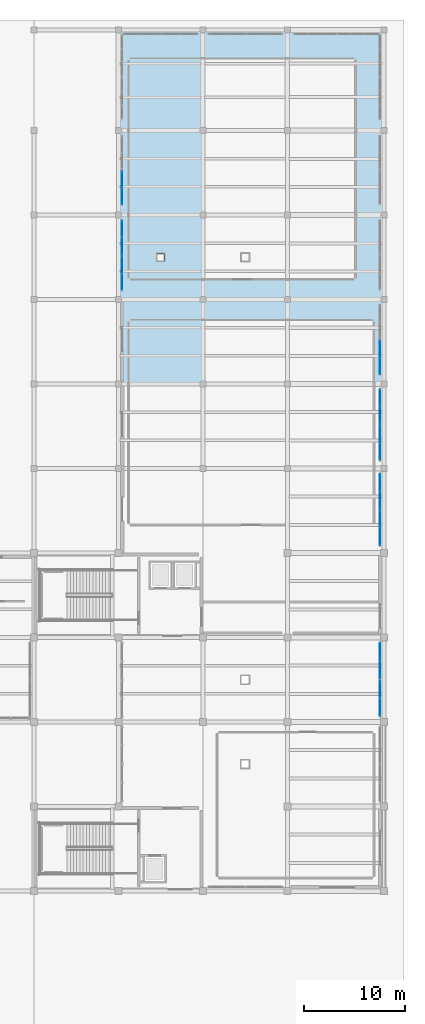
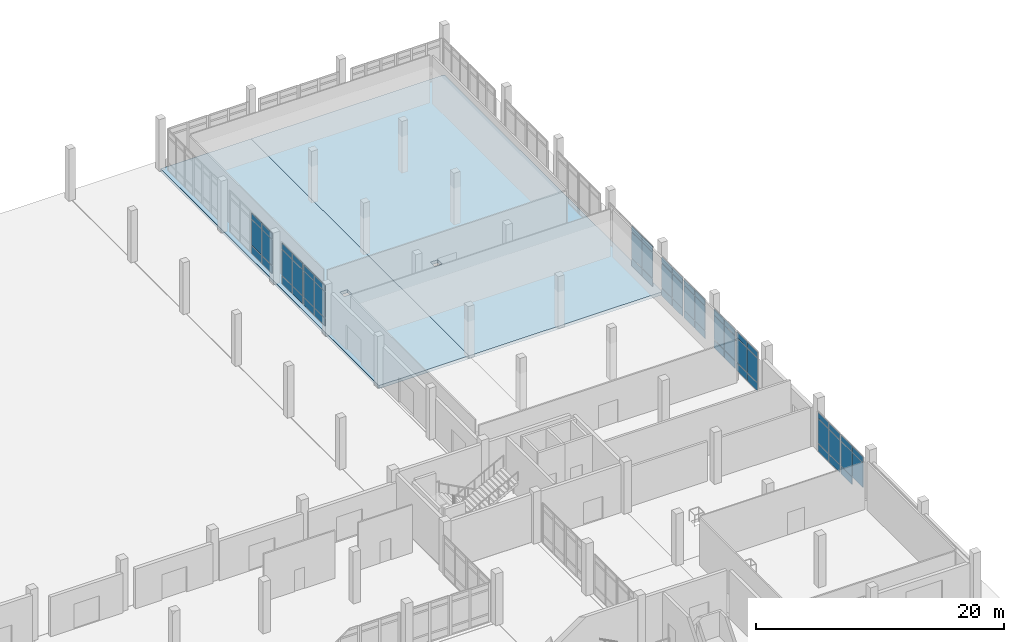
# One storey, part 41 of 64: 59 plates, 2 slabs, 10 elements without a shape of their own.
"""IFC4 building model written with IfcOpenShell, lengths in metres."""

from ifc_helpers import new_model, si_unit, derived_unit, direction, frame, origin, origin_2d, place, context, subcontext, project, spatial, polyline, rectangle, outline, extrude, material, layer, layer_set, type_object, element, aggregate, save


model = new_model("IFC4")

# Units and contexts
model_context = context("Model", 3, precision=1e-05, world=origin(), true_north=direction((0.0, 1.0)))
body_context = subcontext(model_context, "Body", "Model", "MODEL_VIEW")
ifc_project = project(units=[si_unit("LENGTHUNIT", "METRE"), si_unit("AREAUNIT", "SQUARE_METRE"), si_unit("VOLUMEUNIT", "CUBIC_METRE"), si_unit("PLANEANGLEUNIT", "RADIAN"), si_unit("MASSUNIT", "GRAM", prefix="KILO"), derived_unit("THERMALTRANSMITTANCEUNIT", [(si_unit("POWERUNIT", "WATT"), 1), (si_unit("LENGTHUNIT", "METRE"), -2), (si_unit("THERMODYNAMICTEMPERATUREUNIT", "KELVIN"), -1)])], contexts=[model_context])

# Site, building, storey
site_placement = place(None, origin())
site = spatial("IfcSite", under=ifc_project, at=site_placement, CompositionType="ELEMENT")
building_placement = place(site_placement, origin())
building = spatial("IfcBuilding", under=site, at=building_placement, Name="Elbkamm Science Centre", CompositionType="ELEMENT")
storey_placement = place(building_placement, origin())
storey = spatial("IfcBuildingStorey", under=building, at=storey_placement, Name="L00", CompositionType="ELEMENT", Elevation=0.0)

# Curtain wall, plates
ifc_material_1 = material(Name="Powder-coated aluminium and triple low-E glazing", Category="aluminium")
ifc_layer_1 = layer(ifc_material_1, 0.159912109375)
ifc_layer_set_1 = layer_set([ifc_layer_1], Name="Powder-coated aluminium and triple low-E glazing")
curtain_wall_type_1 = type_object("IfcCurtainWallType", Name="CW-UNIT-3480x4100", PredefinedType="USERDEFINED", material=ifc_layer_set_1)
curtain_wall_1_placement = place(storey_placement, origin())
curtain_wall_1 = element("IfcCurtainWall", 1, at=curtain_wall_1_placement, inside=storey, type_object=curtain_wall_type_1, Name="L00 Unitised Curtain Wall 102", ObjectType="UNITISED CURTAIN WALL", PredefinedType="USERDEFINED")
ifc_material_2 = material(Name="Triple solar-control insulated safety glass", Category="glass")
ifc_layer_2 = layer(ifc_material_2, 0.048095703125)
ifc_layer_set_2 = layer_set([ifc_layer_2], Name="Triple solar-control insulated safety glass")
plate_type = type_object("IfcPlateType", Name="CW-PNL-48", PredefinedType="CURTAIN_PANEL", material=ifc_layer_set_2)
plate_1_placement = place(storey_placement, frame((134.780029296875, 85.77099609375, 0.06982421875), z_axis=(0.0, 0.0, 1.0), x_axis=(0.0, 1.0, 0.0)))
plate_1 = element("IfcPlate", 2, at=plate_1_placement, type_object=plate_type, Name="CW-051 panel 1.1", PredefinedType="CURTAIN_PANEL", context=body_context, shape_type="SweptSolid", body=[
    extrude(rectangle(XDim=1.632080078125, YDim=0.048095703125, at=origin_2d()), origin(), (0.0, 0.0, 1.0), 0.7451171875),
])
plate_2_placement = place(storey_placement, frame((134.780029296875, 85.77099609375, 0.884765625), z_axis=(0.0, 0.0, 1.0), x_axis=(0.0, 1.0, 0.0)))
plate_2 = element("IfcPlate", 3, at=plate_2_placement, type_object=plate_type, Name="CW-051 panel 1.2", PredefinedType="CURTAIN_PANEL", context=body_context, shape_type="SweptSolid", body=[
    extrude(rectangle(XDim=1.632080078125, YDim=0.048095703125, at=origin_2d()), origin(), (0.0, 0.0, 1.0), 2.530029296875),
])
plate_3_placement = place(storey_placement, frame((134.780029296875, 85.77099609375, 3.485107421875), z_axis=(0.0, 0.0, 1.0), x_axis=(0.0, 1.0, 0.0)))
plate_3 = element("IfcPlate", 4, at=plate_3_placement, type_object=plate_type, Name="CW-051 panel 1.3", PredefinedType="CURTAIN_PANEL", context=body_context, shape_type="SweptSolid", body=[
    extrude(rectangle(XDim=1.632080078125, YDim=0.048095703125, at=origin_2d()), origin(), (0.0, 0.0, 1.0), 0.544921875),
])
plate_4_placement = place(storey_placement, frame((134.780029296875, 87.47314453125, 0.06982421875), z_axis=(0.0, 0.0, 1.0), x_axis=(0.0, 1.0, 0.0)))
plate_4 = element("IfcPlate", 5, at=plate_4_placement, type_object=plate_type, Name="CW-051 panel 2.1", PredefinedType="CURTAIN_PANEL", context=body_context, shape_type="SweptSolid", body=[
    extrude(rectangle(XDim=1.632080078125, YDim=0.048095703125, at=origin_2d()), origin(), (0.0, 0.0, 1.0), 0.7451171875),
])
plate_5_placement = place(storey_placement, frame((134.780029296875, 87.47314453125, 0.884765625), z_axis=(0.0, 0.0, 1.0), x_axis=(0.0, 1.0, 0.0)))
plate_5 = element("IfcPlate", 6, at=plate_5_placement, type_object=plate_type, Name="CW-051 panel 2.2", PredefinedType="CURTAIN_PANEL", context=body_context, shape_type="SweptSolid", body=[
    extrude(rectangle(XDim=1.632080078125, YDim=0.048095703125, at=origin_2d()), origin(), (0.0, 0.0, 1.0), 2.530029296875),
])
plate_6_placement = place(storey_placement, frame((134.780029296875, 87.47314453125, 3.485107421875), z_axis=(0.0, 0.0, 1.0), x_axis=(0.0, 1.0, 0.0)))
plate_6 = element("IfcPlate", 7, at=plate_6_placement, type_object=plate_type, Name="CW-051 panel 2.3", PredefinedType="CURTAIN_PANEL", context=body_context, shape_type="SweptSolid", body=[
    extrude(rectangle(XDim=1.632080078125, YDim=0.048095703125, at=origin_2d()), origin(), (0.0, 0.0, 1.0), 0.544921875),
])
aggregate(curtain_wall_1, [plate_1, plate_2, plate_3, plate_4, plate_5, plate_6])

curtain_wall_2_placement = place(storey_placement, origin())
curtain_wall_2 = element("IfcCurtainWall", 8, at=curtain_wall_2_placement, inside=storey, type_object=curtain_wall_type_1, Name="L00 Unitised Curtain Wall 103", ObjectType="UNITISED CURTAIN WALL", PredefinedType="USERDEFINED")
plate_7_placement = place(storey_placement, frame((134.780029296875, 89.325439453125, 0.06982421875), z_axis=(0.0, 0.0, 1.0), x_axis=(0.0, 1.0, 0.0)))
plate_7 = element("IfcPlate", 9, at=plate_7_placement, type_object=plate_type, Name="CW-051 panel 1.1", PredefinedType="CURTAIN_PANEL", context=body_context, shape_type="SweptSolid", body=[
    extrude(rectangle(XDim=1.632080078125, YDim=0.048095703125, at=origin_2d()), origin(), (0.0, 0.0, 1.0), 0.7451171875),
])
plate_8_placement = place(storey_placement, frame((134.780029296875, 89.325439453125, 0.884765625), z_axis=(0.0, 0.0, 1.0), x_axis=(0.0, 1.0, 0.0)))
plate_8 = element("IfcPlate", 10, at=plate_8_placement, type_object=plate_type, Name="CW-051 panel 1.2", PredefinedType="CURTAIN_PANEL", context=body_context, shape_type="SweptSolid", body=[
    extrude(rectangle(XDim=1.632080078125, YDim=0.048095703125, at=origin_2d()), origin(), (0.0, 0.0, 1.0), 2.530029296875),
])
plate_9_placement = place(storey_placement, frame((134.780029296875, 89.325439453125, 3.485107421875), z_axis=(0.0, 0.0, 1.0), x_axis=(0.0, 1.0, 0.0)))
plate_9 = element("IfcPlate", 11, at=plate_9_placement, type_object=plate_type, Name="CW-051 panel 1.3", PredefinedType="CURTAIN_PANEL", context=body_context, shape_type="SweptSolid", body=[
    extrude(rectangle(XDim=1.632080078125, YDim=0.048095703125, at=origin_2d()), origin(), (0.0, 0.0, 1.0), 0.544921875),
])
plate_10_placement = place(storey_placement, frame((134.780029296875, 91.027587890625, 0.06982421875), z_axis=(0.0, 0.0, 1.0), x_axis=(0.0, 1.0, 0.0)))
plate_10 = element("IfcPlate", 12, at=plate_10_placement, type_object=plate_type, Name="CW-051 panel 2.1", PredefinedType="CURTAIN_PANEL", context=body_context, shape_type="SweptSolid", body=[
    extrude(rectangle(XDim=1.632080078125, YDim=0.048095703125, at=origin_2d()), origin(), (0.0, 0.0, 1.0), 0.7451171875),
])
plate_11_placement = place(storey_placement, frame((134.780029296875, 91.027587890625, 0.884765625), z_axis=(0.0, 0.0, 1.0), x_axis=(0.0, 1.0, 0.0)))
plate_11 = element("IfcPlate", 13, at=plate_11_placement, type_object=plate_type, Name="CW-051 panel 2.2", PredefinedType="CURTAIN_PANEL", context=body_context, shape_type="SweptSolid", body=[
    extrude(rectangle(XDim=1.632080078125, YDim=0.048095703125, at=origin_2d()), origin(), (0.0, 0.0, 1.0), 2.530029296875),
])
plate_12_placement = place(storey_placement, frame((134.780029296875, 91.027587890625, 3.485107421875), z_axis=(0.0, 0.0, 1.0), x_axis=(0.0, 1.0, 0.0)))
plate_12 = element("IfcPlate", 14, at=plate_12_placement, type_object=plate_type, Name="CW-051 panel 2.3", PredefinedType="CURTAIN_PANEL", context=body_context, shape_type="SweptSolid", body=[
    extrude(rectangle(XDim=1.632080078125, YDim=0.048095703125, at=origin_2d()), origin(), (0.0, 0.0, 1.0), 0.544921875),
])
aggregate(curtain_wall_2, [plate_7, plate_8, plate_9, plate_10, plate_11, plate_12])

ifc_layer_3 = layer(ifc_material_1, 0.159912109375)
ifc_layer_set_3 = layer_set([ifc_layer_3], Name="Powder-coated aluminium and triple low-E glazing")
curtain_wall_type_2 = type_object("IfcCurtainWallType", Name="CW-UNIT-3420x4080", PredefinedType="USERDEFINED", material=ifc_layer_set_3)
curtain_wall_3_placement = place(storey_placement, origin())
curtain_wall_3 = element("IfcCurtainWall", 15, at=curtain_wall_3_placement, inside=storey, type_object=curtain_wall_type_2, Name="L00 Unitised Curtain Wall 104", ObjectType="UNITISED CURTAIN WALL", PredefinedType="USERDEFINED")
plate_13_placement = place(storey_placement, frame((134.780029296875, 94.268798828125, 0.06982421875), z_axis=(0.0, 0.0, 1.0), x_axis=(0.0, 1.0, 0.0)))
plate_13 = element("IfcPlate", 16, at=plate_13_placement, type_object=plate_type, Name="CW-052 panel 1.1", PredefinedType="CURTAIN_PANEL", context=body_context, shape_type="SweptSolid", body=[
    extrude(rectangle(XDim=1.604248046875, YDim=0.048095703125, at=origin_2d()), origin(), (0.0, 0.0, 1.0), 0.7451171875),
])
plate_14_placement = place(storey_placement, frame((134.780029296875, 94.268798828125, 0.884765625), z_axis=(0.0, 0.0, 1.0), x_axis=(0.0, 1.0, 0.0)))
plate_14 = element("IfcPlate", 17, at=plate_14_placement, type_object=plate_type, Name="CW-052 panel 1.2", PredefinedType="CURTAIN_PANEL", context=body_context, shape_type="SweptSolid", body=[
    extrude(rectangle(XDim=1.604248046875, YDim=0.048095703125, at=origin_2d()), origin(), (0.0, 0.0, 1.0), 2.510009765625),
])
plate_15_placement = place(storey_placement, frame((134.780029296875, 94.268798828125, 3.465087890625), z_axis=(0.0, 0.0, 1.0), x_axis=(0.0, 1.0, 0.0)))
plate_15 = element("IfcPlate", 18, at=plate_15_placement, type_object=plate_type, Name="CW-052 panel 1.3", PredefinedType="CURTAIN_PANEL", context=body_context, shape_type="SweptSolid", body=[
    extrude(rectangle(XDim=1.604248046875, YDim=0.048095703125, at=origin_2d()), origin(), (0.0, 0.0, 1.0), 0.544921875),
])
plate_16_placement = place(storey_placement, frame((134.780029296875, 95.943115234375, 0.06982421875), z_axis=(0.0, 0.0, 1.0), x_axis=(0.0, 1.0, 0.0)))
plate_16 = element("IfcPlate", 19, at=plate_16_placement, type_object=plate_type, Name="CW-052 panel 2.1", PredefinedType="CURTAIN_PANEL", context=body_context, shape_type="SweptSolid", body=[
    extrude(rectangle(XDim=1.604248046875, YDim=0.048095703125, at=origin_2d()), origin(), (0.0, 0.0, 1.0), 0.7451171875),
])
plate_17_placement = place(storey_placement, frame((134.780029296875, 95.943115234375, 0.884765625), z_axis=(0.0, 0.0, 1.0), x_axis=(0.0, 1.0, 0.0)))
plate_17 = element("IfcPlate", 20, at=plate_17_placement, type_object=plate_type, Name="CW-052 panel 2.2", PredefinedType="CURTAIN_PANEL", context=body_context, shape_type="SweptSolid", body=[
    extrude(rectangle(XDim=1.604248046875, YDim=0.048095703125, at=origin_2d()), origin(), (0.0, 0.0, 1.0), 2.510009765625),
])
plate_18_placement = place(storey_placement, frame((134.780029296875, 95.943115234375, 3.465087890625), z_axis=(0.0, 0.0, 1.0), x_axis=(0.0, 1.0, 0.0)))
plate_18 = element("IfcPlate", 21, at=plate_18_placement, type_object=plate_type, Name="CW-052 panel 2.3", PredefinedType="CURTAIN_PANEL", context=body_context, shape_type="SweptSolid", body=[
    extrude(rectangle(XDim=1.604248046875, YDim=0.048095703125, at=origin_2d()), origin(), (0.0, 0.0, 1.0), 0.544921875),
])
aggregate(curtain_wall_3, [plate_13, plate_14, plate_15, plate_16, plate_17, plate_18])

ifc_layer_4 = layer(ifc_material_1, 0.159912109375)
ifc_layer_set_4 = layer_set([ifc_layer_4], Name="Powder-coated aluminium and triple low-E glazing")
curtain_wall_type_3 = type_object("IfcCurtainWallType", Name="CW-UNIT-3480x4080", PredefinedType="USERDEFINED", material=ifc_layer_set_4)
curtain_wall_4_placement = place(storey_placement, origin())
curtain_wall_4 = element("IfcCurtainWall", 22, at=curtain_wall_4_placement, inside=storey, type_object=curtain_wall_type_3, Name="L00 Unitised Curtain Wall 121", ObjectType="UNITISED CURTAIN WALL", PredefinedType="USERDEFINED")
plate_19_placement = place(storey_placement, frame((160.419921875, 79.072509765625, 0.06982421875), z_axis=(0.0, 0.0, 1.0), x_axis=(0.0, -1.0, 0.0)))
plate_19 = element("IfcPlate", 23, at=plate_19_placement, type_object=plate_type, Name="CW-060 panel 1.1", PredefinedType="CURTAIN_PANEL", context=body_context, shape_type="SweptSolid", body=[
    extrude(rectangle(XDim=1.63232421875, YDim=0.048095703125, at=origin_2d()), origin(), (0.0, 0.0, 1.0), 0.7451171875),
])
plate_20_placement = place(storey_placement, frame((160.419921875, 79.072509765625, 0.884765625), z_axis=(0.0, 0.0, 1.0), x_axis=(0.0, -1.0, 0.0)))
plate_20 = element("IfcPlate", 24, at=plate_20_placement, type_object=plate_type, Name="CW-060 panel 1.2", PredefinedType="CURTAIN_PANEL", context=body_context, shape_type="SweptSolid", body=[
    extrude(rectangle(XDim=1.63232421875, YDim=0.048095703125, at=origin_2d()), origin(), (0.0, 0.0, 1.0), 2.510009765625),
])
plate_21_placement = place(storey_placement, frame((160.419921875, 79.072509765625, 3.465087890625), z_axis=(0.0, 0.0, 1.0), x_axis=(0.0, -1.0, 0.0)))
plate_21 = element("IfcPlate", 25, at=plate_21_placement, type_object=plate_type, Name="CW-060 panel 1.3", PredefinedType="CURTAIN_PANEL", context=body_context, shape_type="SweptSolid", body=[
    extrude(rectangle(XDim=1.63232421875, YDim=0.048095703125, at=origin_2d()), origin(), (0.0, 0.0, 1.0), 0.544921875),
])
plate_22_placement = place(storey_placement, frame((160.419921875, 77.3701171875, 0.06982421875), z_axis=(0.0, 0.0, 1.0), x_axis=(0.0, -1.0, 0.0)))
plate_22 = element("IfcPlate", 26, at=plate_22_placement, type_object=plate_type, Name="CW-060 panel 2.1", PredefinedType="CURTAIN_PANEL", context=body_context, shape_type="SweptSolid", body=[
    extrude(rectangle(XDim=1.63232421875, YDim=0.048095703125, at=origin_2d()), origin(), (0.0, 0.0, 1.0), 0.7451171875),
])
plate_23_placement = place(storey_placement, frame((160.419921875, 77.3701171875, 0.884765625), z_axis=(0.0, 0.0, 1.0), x_axis=(0.0, -1.0, 0.0)))
plate_23 = element("IfcPlate", 27, at=plate_23_placement, type_object=plate_type, Name="CW-060 panel 2.2", PredefinedType="CURTAIN_PANEL", context=body_context, shape_type="SweptSolid", body=[
    extrude(rectangle(XDim=1.63232421875, YDim=0.048095703125, at=origin_2d()), origin(), (0.0, 0.0, 1.0), 2.510009765625),
])
plate_24_placement = place(storey_placement, frame((160.419921875, 77.3701171875, 3.465087890625), z_axis=(0.0, 0.0, 1.0), x_axis=(0.0, -1.0, 0.0)))
plate_24 = element("IfcPlate", 28, at=plate_24_placement, type_object=plate_type, Name="CW-060 panel 2.3", PredefinedType="CURTAIN_PANEL", context=body_context, shape_type="SweptSolid", body=[
    extrude(rectangle(XDim=1.63232421875, YDim=0.048095703125, at=origin_2d()), origin(), (0.0, 0.0, 1.0), 0.544921875),
])
aggregate(curtain_wall_4, [plate_19, plate_20, plate_21, plate_22, plate_23, plate_24])

ifc_layer_5 = layer(ifc_material_1, 0.159912109375)
ifc_layer_set_5 = layer_set([ifc_layer_5], Name="Powder-coated aluminium and triple low-E glazing")
curtain_wall_type_4 = type_object("IfcCurtainWallType", Name="CW-UNIT-3520x3960", PredefinedType="USERDEFINED", material=ifc_layer_set_5)
curtain_wall_5_placement = place(storey_placement, origin())
curtain_wall_5 = element("IfcCurtainWall", 29, at=curtain_wall_5_placement, inside=storey, type_object=curtain_wall_type_4, Name="L00 Unitised Curtain Wall 122", ObjectType="UNITISED CURTAIN WALL", PredefinedType="USERDEFINED")
plate_25_placement = place(storey_placement, frame((160.419921875, 74.217041015625, 0.06982421875), z_axis=(0.0, 0.0, 1.0), x_axis=(0.0, -1.0, 0.0)))
plate_25 = element("IfcPlate", 30, at=plate_25_placement, type_object=plate_type, Name="CW-061 panel 1.1", PredefinedType="CURTAIN_PANEL", context=body_context, shape_type="SweptSolid", body=[
    extrude(rectangle(XDim=1.6533203125, YDim=0.048095703125, at=origin_2d()), origin(), (0.0, 0.0, 1.0), 0.7451171875),
])
plate_26_placement = place(storey_placement, frame((160.419921875, 74.217041015625, 0.885009765625), z_axis=(0.0, 0.0, 1.0), x_axis=(0.0, -1.0, 0.0)))
plate_26 = element("IfcPlate", 31, at=plate_26_placement, type_object=plate_type, Name="CW-061 panel 1.2", PredefinedType="CURTAIN_PANEL", context=body_context, shape_type="SweptSolid", body=[
    extrude(rectangle(XDim=1.6533203125, YDim=0.048095703125, at=origin_2d()), origin(), (0.0, 0.0, 1.0), 2.3798828125),
])
plate_27_placement = place(storey_placement, frame((160.419921875, 74.217041015625, 3.3349609375), z_axis=(0.0, 0.0, 1.0), x_axis=(0.0, -1.0, 0.0)))
plate_27 = element("IfcPlate", 32, at=plate_27_placement, type_object=plate_type, Name="CW-061 panel 1.3", PredefinedType="CURTAIN_PANEL", context=body_context, shape_type="SweptSolid", body=[
    extrude(rectangle(XDim=1.6533203125, YDim=0.048095703125, at=origin_2d()), origin(), (0.0, 0.0, 1.0), 0.544921875),
])
plate_28_placement = place(storey_placement, frame((160.419921875, 72.49365234375, 0.06982421875), z_axis=(0.0, 0.0, 1.0), x_axis=(0.0, -1.0, 0.0)))
plate_28 = element("IfcPlate", 33, at=plate_28_placement, type_object=plate_type, Name="CW-061 panel 2.1", PredefinedType="CURTAIN_PANEL", context=body_context, shape_type="SweptSolid", body=[
    extrude(rectangle(XDim=1.6533203125, YDim=0.048095703125, at=origin_2d()), origin(), (0.0, 0.0, 1.0), 0.7451171875),
])
plate_29_placement = place(storey_placement, frame((160.419921875, 72.49365234375, 0.885009765625), z_axis=(0.0, 0.0, 1.0), x_axis=(0.0, -1.0, 0.0)))
plate_29 = element("IfcPlate", 34, at=plate_29_placement, type_object=plate_type, Name="CW-061 panel 2.2", PredefinedType="CURTAIN_PANEL", context=body_context, shape_type="SweptSolid", body=[
    extrude(rectangle(XDim=1.6533203125, YDim=0.048095703125, at=origin_2d()), origin(), (0.0, 0.0, 1.0), 2.3798828125),
])
plate_30_placement = place(storey_placement, frame((160.419921875, 72.49365234375, 3.3349609375), z_axis=(0.0, 0.0, 1.0), x_axis=(0.0, -1.0, 0.0)))
plate_30 = element("IfcPlate", 35, at=plate_30_placement, type_object=plate_type, Name="CW-061 panel 2.3", PredefinedType="CURTAIN_PANEL", context=body_context, shape_type="SweptSolid", body=[
    extrude(rectangle(XDim=1.6533203125, YDim=0.048095703125, at=origin_2d()), origin(), (0.0, 0.0, 1.0), 0.544921875),
])
aggregate(curtain_wall_5, [plate_25, plate_26, plate_27, plate_28, plate_29, plate_30])

curtain_wall_6_placement = place(storey_placement, origin())
curtain_wall_6 = element("IfcCurtainWall", 36, at=curtain_wall_6_placement, inside=storey, type_object=curtain_wall_type_4, Name="L00 Unitised Curtain Wall 123", ObjectType="UNITISED CURTAIN WALL", PredefinedType="USERDEFINED")
plate_31_placement = place(storey_placement, frame((160.419921875, 70.6201171875, 0.06982421875), z_axis=(0.0, 0.0, 1.0), x_axis=(0.0, -1.0, 0.0)))
plate_31 = element("IfcPlate", 37, at=plate_31_placement, type_object=plate_type, Name="CW-061 panel 1.1", PredefinedType="CURTAIN_PANEL", context=body_context, shape_type="SweptSolid", body=[
    extrude(rectangle(XDim=1.6533203125, YDim=0.048095703125, at=origin_2d()), origin(), (0.0, 0.0, 1.0), 0.7451171875),
])
plate_32_placement = place(storey_placement, frame((160.419921875, 70.6201171875, 0.885009765625), z_axis=(0.0, 0.0, 1.0), x_axis=(0.0, -1.0, 0.0)))
plate_32 = element("IfcPlate", 38, at=plate_32_placement, type_object=plate_type, Name="CW-061 panel 1.2", PredefinedType="CURTAIN_PANEL", context=body_context, shape_type="SweptSolid", body=[
    extrude(rectangle(XDim=1.6533203125, YDim=0.048095703125, at=origin_2d()), origin(), (0.0, 0.0, 1.0), 2.3798828125),
])
plate_33_placement = place(storey_placement, frame((160.419921875, 70.6201171875, 3.3349609375), z_axis=(0.0, 0.0, 1.0), x_axis=(0.0, -1.0, 0.0)))
plate_33 = element("IfcPlate", 39, at=plate_33_placement, type_object=plate_type, Name="CW-061 panel 1.3", PredefinedType="CURTAIN_PANEL", context=body_context, shape_type="SweptSolid", body=[
    extrude(rectangle(XDim=1.6533203125, YDim=0.048095703125, at=origin_2d()), origin(), (0.0, 0.0, 1.0), 0.544921875),
])
plate_34_placement = place(storey_placement, frame((160.419921875, 68.896728515625, 0.06982421875), z_axis=(0.0, 0.0, 1.0), x_axis=(0.0, -1.0, 0.0)))
plate_34 = element("IfcPlate", 40, at=plate_34_placement, type_object=plate_type, Name="CW-061 panel 2.1", PredefinedType="CURTAIN_PANEL", context=body_context, shape_type="SweptSolid", body=[
    extrude(rectangle(XDim=1.6533203125, YDim=0.048095703125, at=origin_2d()), origin(), (0.0, 0.0, 1.0), 0.7451171875),
])
plate_35_placement = place(storey_placement, frame((160.419921875, 68.896728515625, 0.885009765625), z_axis=(0.0, 0.0, 1.0), x_axis=(0.0, -1.0, 0.0)))
plate_35 = element("IfcPlate", 41, at=plate_35_placement, type_object=plate_type, Name="CW-061 panel 2.2", PredefinedType="CURTAIN_PANEL", context=body_context, shape_type="SweptSolid", body=[
    extrude(rectangle(XDim=1.6533203125, YDim=0.048095703125, at=origin_2d()), origin(), (0.0, 0.0, 1.0), 2.3798828125),
])
plate_36_placement = place(storey_placement, frame((160.419921875, 68.896728515625, 3.3349609375), z_axis=(0.0, 0.0, 1.0), x_axis=(0.0, -1.0, 0.0)))
plate_36 = element("IfcPlate", 42, at=plate_36_placement, type_object=plate_type, Name="CW-061 panel 2.3", PredefinedType="CURTAIN_PANEL", context=body_context, shape_type="SweptSolid", body=[
    extrude(rectangle(XDim=1.6533203125, YDim=0.048095703125, at=origin_2d()), origin(), (0.0, 0.0, 1.0), 0.544921875),
])
aggregate(curtain_wall_6, [plate_31, plate_32, plate_33, plate_34, plate_35, plate_36])

ifc_layer_6 = layer(ifc_material_1, 0.159912109375)
ifc_layer_set_6 = layer_set([ifc_layer_6], Name="Powder-coated aluminium and triple low-E glazing")
curtain_wall_type_5 = type_object("IfcCurtainWallType", Name="CW-UNIT-3560x3960", PredefinedType="USERDEFINED", material=ifc_layer_set_6)
curtain_wall_7_placement = place(storey_placement, origin())
curtain_wall_7 = element("IfcCurtainWall", 43, at=curtain_wall_7_placement, inside=storey, type_object=curtain_wall_type_5, Name="L00 Unitised Curtain Wall 124", ObjectType="UNITISED CURTAIN WALL", PredefinedType="USERDEFINED")
plate_37_placement = place(storey_placement, frame((160.419921875, 65.806396484375, 0.06982421875), z_axis=(0.0, 0.0, 1.0), x_axis=(0.0, -1.0, 0.0)))
plate_37 = element("IfcPlate", 44, at=plate_37_placement, type_object=plate_type, Name="CW-062 panel 1.1", PredefinedType="CURTAIN_PANEL", context=body_context, shape_type="SweptSolid", body=[
    extrude(rectangle(XDim=1.67431640625, YDim=0.048095703125, at=origin_2d()), origin(), (0.0, 0.0, 1.0), 0.7451171875),
])
plate_38_placement = place(storey_placement, frame((160.419921875, 65.806396484375, 0.885009765625), z_axis=(0.0, 0.0, 1.0), x_axis=(0.0, -1.0, 0.0)))
plate_38 = element("IfcPlate", 45, at=plate_38_placement, type_object=plate_type, Name="CW-062 panel 1.2", PredefinedType="CURTAIN_PANEL", context=body_context, shape_type="SweptSolid", body=[
    extrude(rectangle(XDim=1.67431640625, YDim=0.048095703125, at=origin_2d()), origin(), (0.0, 0.0, 1.0), 2.3798828125),
])
plate_39_placement = place(storey_placement, frame((160.419921875, 65.806396484375, 3.3349609375), z_axis=(0.0, 0.0, 1.0), x_axis=(0.0, -1.0, 0.0)))
plate_39 = element("IfcPlate", 46, at=plate_39_placement, type_object=plate_type, Name="CW-062 panel 1.3", PredefinedType="CURTAIN_PANEL", context=body_context, shape_type="SweptSolid", body=[
    extrude(rectangle(XDim=1.67431640625, YDim=0.048095703125, at=origin_2d()), origin(), (0.0, 0.0, 1.0), 0.544921875),
])
plate_40_placement = place(storey_placement, frame((160.419921875, 64.06201171875, 0.06982421875), z_axis=(0.0, 0.0, 1.0), x_axis=(0.0, -1.0, 0.0)))
plate_40 = element("IfcPlate", 47, at=plate_40_placement, type_object=plate_type, Name="CW-062 panel 2.1", PredefinedType="CURTAIN_PANEL", context=body_context, shape_type="SweptSolid", body=[
    extrude(rectangle(XDim=1.67431640625, YDim=0.048095703125, at=origin_2d()), origin(), (0.0, 0.0, 1.0), 0.7451171875),
])
plate_41_placement = place(storey_placement, frame((160.419921875, 64.06201171875, 0.885009765625), z_axis=(0.0, 0.0, 1.0), x_axis=(0.0, -1.0, 0.0)))
plate_41 = element("IfcPlate", 48, at=plate_41_placement, type_object=plate_type, Name="CW-062 panel 2.2", PredefinedType="CURTAIN_PANEL", context=body_context, shape_type="SweptSolid", body=[
    extrude(rectangle(XDim=1.67431640625, YDim=0.048095703125, at=origin_2d()), origin(), (0.0, 0.0, 1.0), 2.3798828125),
])
plate_42_placement = place(storey_placement, frame((160.419921875, 64.06201171875, 3.3349609375), z_axis=(0.0, 0.0, 1.0), x_axis=(0.0, -1.0, 0.0)))
plate_42 = element("IfcPlate", 49, at=plate_42_placement, type_object=plate_type, Name="CW-062 panel 2.3", PredefinedType="CURTAIN_PANEL", context=body_context, shape_type="SweptSolid", body=[
    extrude(rectangle(XDim=1.67431640625, YDim=0.048095703125, at=origin_2d()), origin(), (0.0, 0.0, 1.0), 0.544921875),
])
aggregate(curtain_wall_7, [plate_37, plate_38, plate_39, plate_40, plate_41, plate_42])

curtain_wall_8_placement = place(storey_placement, origin())
curtain_wall_8 = element("IfcCurtainWall", 50, at=curtain_wall_8_placement, inside=storey, type_object=curtain_wall_type_5, Name="L00 Unitised Curtain Wall 125", ObjectType="UNITISED CURTAIN WALL", PredefinedType="USERDEFINED")
plate_43_placement = place(storey_placement, frame((160.419921875, 62.167724609375, 0.06982421875), z_axis=(0.0, 0.0, 1.0), x_axis=(0.0, -1.0, 0.0)))
plate_43 = element("IfcPlate", 51, at=plate_43_placement, type_object=plate_type, Name="CW-062 panel 1.1", PredefinedType="CURTAIN_PANEL", context=body_context, shape_type="SweptSolid", body=[
    extrude(rectangle(XDim=1.674560546875, YDim=0.048095703125, at=origin_2d()), origin(), (0.0, 0.0, 1.0), 0.7451171875),
])
plate_44_placement = place(storey_placement, frame((160.419921875, 62.167724609375, 0.885009765625), z_axis=(0.0, 0.0, 1.0), x_axis=(0.0, -1.0, 0.0)))
plate_44 = element("IfcPlate", 52, at=plate_44_placement, type_object=plate_type, Name="CW-062 panel 1.2", PredefinedType="CURTAIN_PANEL", context=body_context, shape_type="SweptSolid", body=[
    extrude(rectangle(XDim=1.674560546875, YDim=0.048095703125, at=origin_2d()), origin(), (0.0, 0.0, 1.0), 2.3798828125),
])
plate_45_placement = place(storey_placement, frame((160.419921875, 62.167724609375, 3.3349609375), z_axis=(0.0, 0.0, 1.0), x_axis=(0.0, -1.0, 0.0)))
plate_45 = element("IfcPlate", 53, at=plate_45_placement, type_object=plate_type, Name="CW-062 panel 1.3", PredefinedType="CURTAIN_PANEL", context=body_context, shape_type="SweptSolid", body=[
    extrude(rectangle(XDim=1.674560546875, YDim=0.048095703125, at=origin_2d()), origin(), (0.0, 0.0, 1.0), 0.544921875),
])
plate_46_placement = place(storey_placement, frame((160.419921875, 60.42333984375, 0.06982421875), z_axis=(0.0, 0.0, 1.0), x_axis=(0.0, -1.0, 0.0)))
plate_46 = element("IfcPlate", 54, at=plate_46_placement, type_object=plate_type, Name="CW-062 panel 2.1", PredefinedType="CURTAIN_PANEL", context=body_context, shape_type="SweptSolid", body=[
    extrude(rectangle(XDim=1.674560546875, YDim=0.048095703125, at=origin_2d()), origin(), (0.0, 0.0, 1.0), 0.7451171875),
])
plate_47_placement = place(storey_placement, frame((160.419921875, 60.42333984375, 0.885009765625), z_axis=(0.0, 0.0, 1.0), x_axis=(0.0, -1.0, 0.0)))
plate_47 = element("IfcPlate", 55, at=plate_47_placement, type_object=plate_type, Name="CW-062 panel 2.2", PredefinedType="CURTAIN_PANEL", context=body_context, shape_type="SweptSolid", body=[
    extrude(rectangle(XDim=1.674560546875, YDim=0.048095703125, at=origin_2d()), origin(), (0.0, 0.0, 1.0), 2.3798828125),
])
plate_48_placement = place(storey_placement, frame((160.419921875, 60.42333984375, 3.3349609375), z_axis=(0.0, 0.0, 1.0), x_axis=(0.0, -1.0, 0.0)))
plate_48 = element("IfcPlate", 56, at=plate_48_placement, type_object=plate_type, Name="CW-062 panel 2.3", PredefinedType="CURTAIN_PANEL", context=body_context, shape_type="SweptSolid", body=[
    extrude(rectangle(XDim=1.674560546875, YDim=0.048095703125, at=origin_2d()), origin(), (0.0, 0.0, 1.0), 0.544921875),
])
aggregate(curtain_wall_8, [plate_43, plate_44, plate_45, plate_46, plate_47, plate_48])

ifc_layer_7 = layer(ifc_material_1, 0.159912109375)
ifc_layer_set_7 = layer_set([ifc_layer_7], Name="Powder-coated aluminium and triple low-E glazing")
curtain_wall_type_6 = type_object("IfcCurtainWallType", Name="CW-UNIT-3640x3960", PredefinedType="USERDEFINED", material=ifc_layer_set_7)
curtain_wall_9_placement = place(storey_placement, origin())
curtain_wall_9 = element("IfcCurtainWall", 57, at=curtain_wall_9_placement, inside=storey, type_object=curtain_wall_type_6, Name="L00 Unitised Curtain Wall 126", ObjectType="UNITISED CURTAIN WALL", PredefinedType="USERDEFINED")
plate_49_placement = place(storey_placement, frame((160.419921875, 48.985595703125, 0.06982421875), z_axis=(0.0, 0.0, 1.0), x_axis=(0.0, -1.0, 0.0)))
plate_49 = element("IfcPlate", 58, at=plate_49_placement, type_object=plate_type, Name="CW-063 panel 1.1", PredefinedType="CURTAIN_PANEL", context=body_context, shape_type="SweptSolid", body=[
    extrude(rectangle(XDim=1.71630859375, YDim=0.048095703125, at=origin_2d()), origin(), (0.0, 0.0, 1.0), 0.7451171875),
])
plate_50_placement = place(storey_placement, frame((160.419921875, 48.985595703125, 0.885009765625), z_axis=(0.0, 0.0, 1.0), x_axis=(0.0, -1.0, 0.0)))
plate_50 = element("IfcPlate", 59, at=plate_50_placement, type_object=plate_type, Name="CW-063 panel 1.2", PredefinedType="CURTAIN_PANEL", context=body_context, shape_type="SweptSolid", body=[
    extrude(rectangle(XDim=1.71630859375, YDim=0.048095703125, at=origin_2d()), origin(), (0.0, 0.0, 1.0), 2.3798828125),
])
plate_51_placement = place(storey_placement, frame((160.419921875, 48.985595703125, 3.3349609375), z_axis=(0.0, 0.0, 1.0), x_axis=(0.0, -1.0, 0.0)))
plate_51 = element("IfcPlate", 60, at=plate_51_placement, type_object=plate_type, Name="CW-063 panel 1.3", PredefinedType="CURTAIN_PANEL", context=body_context, shape_type="SweptSolid", body=[
    extrude(rectangle(XDim=1.71630859375, YDim=0.048095703125, at=origin_2d()), origin(), (0.0, 0.0, 1.0), 0.544921875),
])
plate_52_placement = place(storey_placement, frame((160.419921875, 47.19921875, 0.06982421875), z_axis=(0.0, 0.0, 1.0), x_axis=(0.0, -1.0, 0.0)))
plate_52 = element("IfcPlate", 61, at=plate_52_placement, type_object=plate_type, Name="CW-063 panel 2.1", PredefinedType="CURTAIN_PANEL", context=body_context, shape_type="SweptSolid", body=[
    extrude(rectangle(XDim=1.71630859375, YDim=0.048095703125, at=origin_2d()), origin(), (0.0, 0.0, 1.0), 0.7451171875),
])
plate_53_placement = place(storey_placement, frame((160.419921875, 47.19921875, 0.885009765625), z_axis=(0.0, 0.0, 1.0), x_axis=(0.0, -1.0, 0.0)))
plate_53 = element("IfcPlate", 62, at=plate_53_placement, type_object=plate_type, Name="CW-063 panel 2.2", PredefinedType="CURTAIN_PANEL", context=body_context, shape_type="SweptSolid", body=[
    extrude(rectangle(XDim=1.71630859375, YDim=0.048095703125, at=origin_2d()), origin(), (0.0, 0.0, 1.0), 2.3798828125),
])
plate_54_placement = place(storey_placement, frame((160.419921875, 47.19921875, 3.3349609375), z_axis=(0.0, 0.0, 1.0), x_axis=(0.0, -1.0, 0.0)))
plate_54 = element("IfcPlate", 63, at=plate_54_placement, type_object=plate_type, Name="CW-063 panel 2.3", PredefinedType="CURTAIN_PANEL", context=body_context, shape_type="SweptSolid", body=[
    extrude(rectangle(XDim=1.71630859375, YDim=0.048095703125, at=origin_2d()), origin(), (0.0, 0.0, 1.0), 0.544921875),
])
aggregate(curtain_wall_9, [plate_49, plate_50, plate_51, plate_52, plate_53, plate_54])

curtain_wall_10_placement = place(storey_placement, origin())
curtain_wall_10 = element("IfcCurtainWall", 64, at=curtain_wall_10_placement, inside=storey, type_object=curtain_wall_type_6, Name="L00 Unitised Curtain Wall 127", ObjectType="UNITISED CURTAIN WALL", PredefinedType="USERDEFINED")
plate_55_placement = place(storey_placement, frame((160.419921875, 45.2626953125, 0.06982421875), z_axis=(0.0, 0.0, 1.0), x_axis=(0.0, -1.0, 0.0)))
plate_55 = element("IfcPlate", 65, at=plate_55_placement, type_object=plate_type, Name="CW-063 panel 1.1", PredefinedType="CURTAIN_PANEL", context=body_context, shape_type="SweptSolid", body=[
    extrude(rectangle(XDim=1.716552734375, YDim=0.048095703125, at=origin_2d()), origin(), (0.0, 0.0, 1.0), 0.7451171875),
])
plate_56_placement = place(storey_placement, frame((160.419921875, 45.2626953125, 0.885009765625), z_axis=(0.0, 0.0, 1.0), x_axis=(0.0, -1.0, 0.0)))
plate_56 = element("IfcPlate", 66, at=plate_56_placement, type_object=plate_type, Name="CW-063 panel 1.2", PredefinedType="CURTAIN_PANEL", context=body_context, shape_type="SweptSolid", body=[
    extrude(rectangle(XDim=1.716552734375, YDim=0.048095703125, at=origin_2d()), origin(), (0.0, 0.0, 1.0), 2.3798828125),
])
plate_57_placement = place(storey_placement, frame((160.419921875, 45.2626953125, 3.3349609375), z_axis=(0.0, 0.0, 1.0), x_axis=(0.0, -1.0, 0.0)))
plate_57 = element("IfcPlate", 67, at=plate_57_placement, type_object=plate_type, Name="CW-063 panel 1.3", PredefinedType="CURTAIN_PANEL", context=body_context, shape_type="SweptSolid", body=[
    extrude(rectangle(XDim=1.716552734375, YDim=0.048095703125, at=origin_2d()), origin(), (0.0, 0.0, 1.0), 0.544921875),
])
plate_58_placement = place(storey_placement, frame((160.419921875, 43.476318359375, 0.885009765625), z_axis=(0.0, 0.0, 1.0), x_axis=(0.0, -1.0, 0.0)))
plate_58 = element("IfcPlate", 68, at=plate_58_placement, type_object=plate_type, Name="CW-063 panel 2.2", PredefinedType="CURTAIN_PANEL", context=body_context, shape_type="SweptSolid", body=[
    extrude(rectangle(XDim=1.716552734375, YDim=0.048095703125, at=origin_2d()), origin(), (0.0, 0.0, 1.0), 2.3798828125),
])
plate_59_placement = place(storey_placement, frame((160.419921875, 43.476318359375, 3.3349609375), z_axis=(0.0, 0.0, 1.0), x_axis=(0.0, -1.0, 0.0)))
plate_59 = element("IfcPlate", 69, at=plate_59_placement, type_object=plate_type, Name="CW-063 panel 2.3", PredefinedType="CURTAIN_PANEL", context=body_context, shape_type="SweptSolid", body=[
    extrude(rectangle(XDim=1.716552734375, YDim=0.048095703125, at=origin_2d()), origin(), (0.0, 0.0, 1.0), 0.544921875),
])
aggregate(curtain_wall_10, [plate_55, plate_56, plate_57, plate_58, plate_59])

# Slabs
ifc_material_3 = material(Name="Reinforced concrete C40/50", Category="concrete")
ifc_layer_8 = layer(ifc_material_3, 0.300048828125)
ifc_layer_set_8 = layer_set([ifc_layer_8], Name="Reinforced concrete C40/50")
slab_type = type_object("IfcSlabType", Name="SLAB-FLR-300", PredefinedType="FLOOR", material=ifc_layer_set_8)
slab_1_placement = place(storey_placement, frame((0.0, 0.0, -0.300048828125)))
element("IfcSlab", 70, at=slab_1_placement, inside=storey, type_object=slab_type, Name="L00 Structural Slab E1N-10", PredefinedType="FLOOR", context=body_context, shape_type="SweptSolid", body=[
    extrude(outline(polyline([(142.800048828125, 110.800048828125), (142.800048828125, 75.60009765625), (134.39990234375, 75.60009765625), (134.39990234375, 110.800048828125), (142.800048828125, 110.800048828125)]), holes=[polyline([(138.949951171875, 88.550048828125), (138.25, 88.550048828125), (138.25, 87.85009765625), (138.949951171875, 87.85009765625), (138.949951171875, 88.550048828125)])]), origin(), (0.0, 0.0, 1.0), 0.300048828125),
])
slab_2_placement = place(storey_placement, frame((0.0, 0.0, -0.300048828125)))
element("IfcSlab", 71, at=slab_2_placement, inside=storey, type_object=slab_type, Name="L00 Structural Slab E2N-13", PredefinedType="FLOOR", context=body_context, shape_type="SweptSolid", body=[
    extrude(outline(polyline([(160.800048828125, 75.60009765625), (142.800048828125, 75.60009765625), (142.800048828125, 110.800048828125), (160.800048828125, 110.800048828125), (160.800048828125, 75.60009765625)]), holes=[polyline([(147.35009765625, 88.550048828125), (146.64990234375, 88.550048828125), (146.64990234375, 87.85009765625), (147.35009765625, 87.85009765625), (147.35009765625, 88.550048828125)])]), origin(), (0.0, 0.0, 1.0), 0.300048828125),
])

save(model, "model.ifc")
